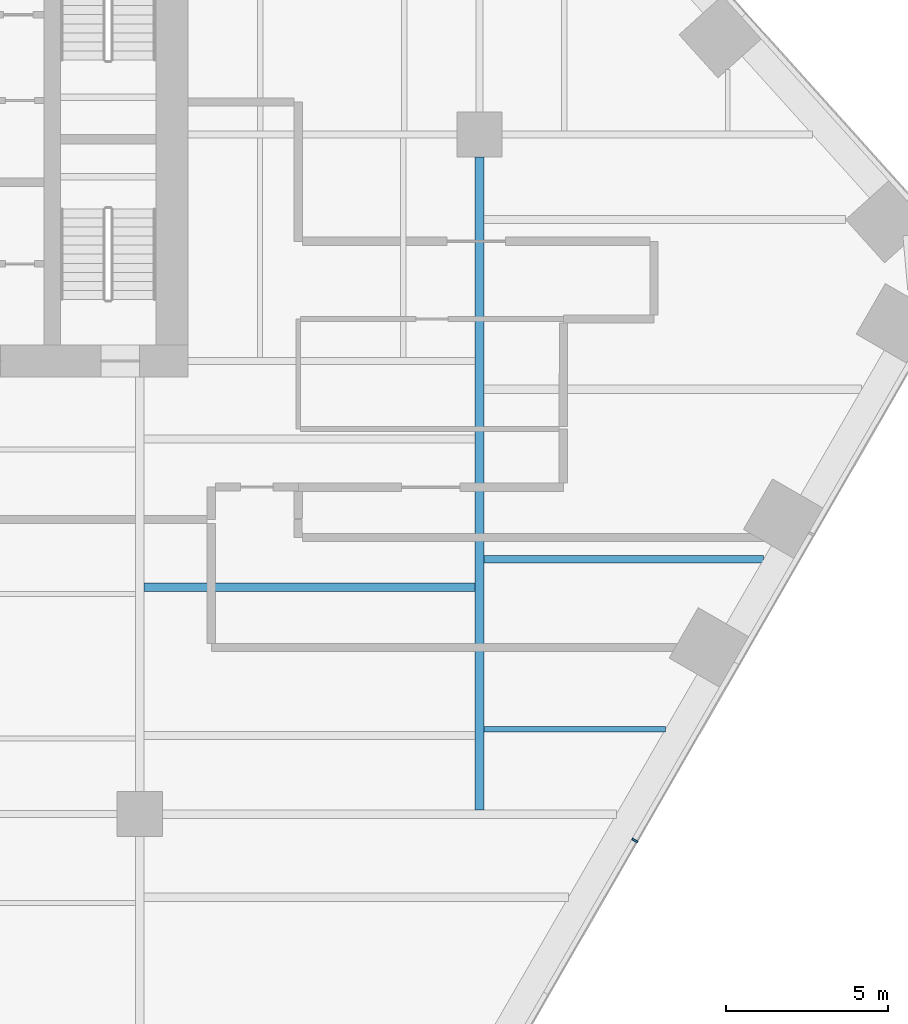
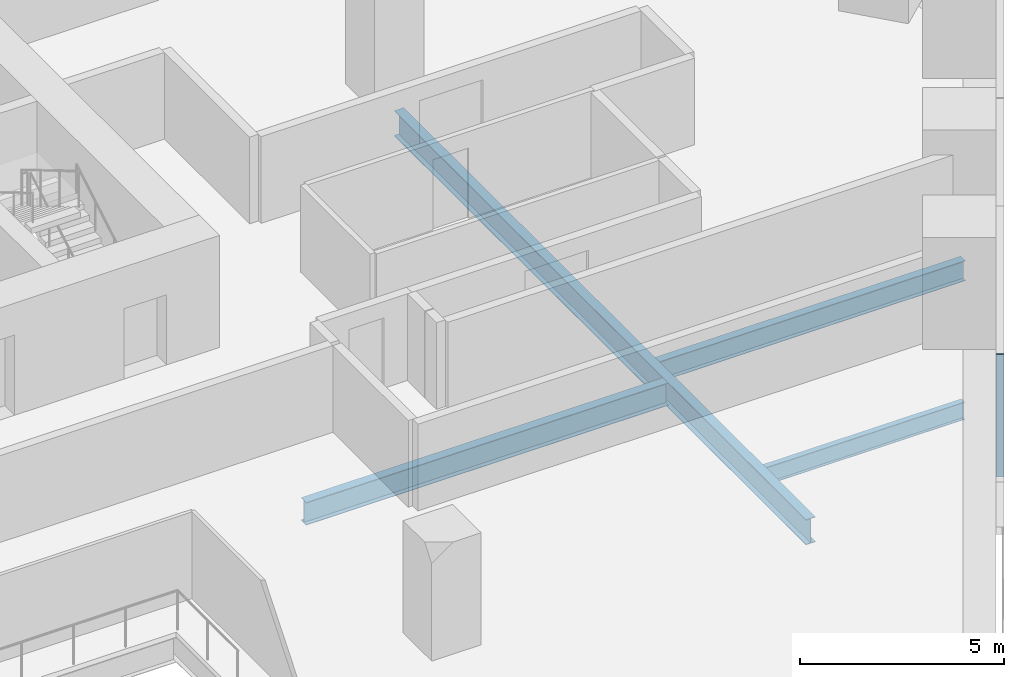
# One storey, part 7 of 20: 4 beams, 1 member, 1 element without a shape of its own.
"""IFC4 building model written with IfcOpenShell, lengths in metres."""

import ifcopenshell
import ifcopenshell.guid

model = None  # the IFC model being written
_history = None  # IfcOwnerHistory: only IFC2X3 demands one
_inside = {}  # id of a spatial element -> (the spatial element, [elements in it])
_under = {}  # id of a project, library or spatial element -> (it, [spatial elements below it])
_declared = {}  # id of a project -> (the project, [libraries it declares])
_typed = {}  # id of a type object -> (the type object, [elements of that type])
_made_of = {}  # id of a material, layer set ... -> (it, [elements and type objects made of it])


def new_model(schema):
    """Start an empty IFC model of exactly this schema.

    Asked for "IFC4X3", IfcOpenShell would pick the latest addendum, in which some entities
    have other attributes; the version numbers below select the first issue.
    IFC2X3 requires an IfcOwnerHistory on every rooted entity: one is made here for all.
    """
    global model, _history
    if schema == "IFC4X3":
        model = ifcopenshell.file(schema_version=(4, 3, 0, 0))
    else:
        model = ifcopenshell.file(schema=schema)
    _inside.clear()
    _under.clear()
    _declared.clear()
    _typed.clear()
    _made_of.clear()
    _history = None
    if model.schema == "IFC2X3":
        org = make("IfcOrganization", Name="unknown")
        user = make(
            "IfcPersonAndOrganization",
            ThePerson=make("IfcPerson", FamilyName="unknown"),
            TheOrganization=org,
        )
        app = make(
            "IfcApplication",
            ApplicationDeveloper=org,
            Version="unknown",
            ApplicationFullName="unknown",
            ApplicationIdentifier="unknown",
        )
        _history = make(
            "IfcOwnerHistory",
            OwningUser=user,
            OwningApplication=app,
            ChangeAction="ADDED",
            CreationDate=0,
        )
    return model


def make(cls, **values):
    """One entity of the class cls with the attributes given. An attribute that is None is left unset."""
    return model.create_entity(
        cls, **{name: value for name, value in values.items() if value is not None}
    )


def rooted(cls, **values):
    """An entity with a GlobalId (a new one), such as an element, a storey or a relation."""
    return make(cls, GlobalId=ifcopenshell.guid.new(), OwnerHistory=_history, **values)


def si_unit(unit_type, name, prefix=None):
    """IfcSIUnit, for example si_unit("LENGTHUNIT", "METRE", prefix="MILLI")."""
    return make("IfcSIUnit", UnitType=unit_type, Prefix=prefix, Name=name)


def assignment(units):
    """IfcUnitAssignment: the units of a project."""
    return None if units is None else make("IfcUnitAssignment", Units=units)


def point(xyz):
    """IfcCartesianPoint."""
    return None if xyz is None else make("IfcCartesianPoint", Coordinates=xyz)


def direction(xyz):
    """IfcDirection."""
    return None if xyz is None else make("IfcDirection", DirectionRatios=xyz)


def frame(location, z_axis=None, x_axis=None):
    """IfcAxis2Placement3D, a coordinate frame: its origin and axes. An axis left out is left unset."""
    return make(
        "IfcAxis2Placement3D",
        Location=point(location),
        Axis=direction(z_axis),
        RefDirection=direction(x_axis),
    )


def frame_2d(location, x_axis=None):
    """IfcAxis2Placement2D, a coordinate frame in the plane: its origin and x axis."""
    return make(
        "IfcAxis2Placement2D", Location=point(location), RefDirection=direction(x_axis)
    )


def origin():
    """The frame at (0, 0, 0) with its axes left unset."""
    return frame((0.0, 0.0, 0.0))


def origin_2d():
    """The frame at (0, 0) in the plane with its x axis left unset."""
    return frame_2d((0.0, 0.0))


def place(relative_to, where):
    """IfcLocalPlacement: puts the frame where relative to a parent placement (None: the world)."""
    return make(
        "IfcLocalPlacement", PlacementRelTo=relative_to, RelativePlacement=where
    )


def context(
    kind, dimensions, precision=None, world=None, true_north=None, identifier=None
):
    """IfcGeometricRepresentationContext, for example the 3D "Model" context."""
    return make(
        "IfcGeometricRepresentationContext",
        ContextIdentifier=identifier,
        ContextType=kind,
        CoordinateSpaceDimension=dimensions,
        Precision=precision,
        WorldCoordinateSystem=world,
        TrueNorth=true_north,
    )


def subcontext(parent, identifier, kind, view, scale=None):
    """IfcGeometricRepresentationSubContext, for example "Body" below "Model"."""
    return make(
        "IfcGeometricRepresentationSubContext",
        ContextIdentifier=identifier,
        ContextType=kind,
        ParentContext=parent,
        TargetScale=scale,
        TargetView=view,
    )


def project(units=None, contexts=None):
    """IfcProject with its units and contexts."""
    return rooted(
        "IfcProject",
        Name="project",
        RepresentationContexts=contexts,
        UnitsInContext=assignment(units),
    )


def spatial(cls, under=None, at=None, **own):
    """A site, building, storey or space (cls), placed at a placement, below another one or the project."""
    s = rooted(cls, ObjectPlacement=at, **own)
    if under is not None:
        _under.setdefault(under.id(), (under, []))[1].append(s)
    return s


def profile(cls, at=None, kind="AREA", **sizes):
    """A parametric profile (cls). Its sizes go by their IFC names, for example OverallWidth=200.0."""
    return make(cls, ProfileType=kind, Position=at, **sizes)


def rectangle(**sizes):
    """IfcRectangleProfileDef."""
    return profile("IfcRectangleProfileDef", **sizes)


def i_section(**sizes):
    """IfcIShapeProfileDef."""
    return profile("IfcIShapeProfileDef", **sizes)


def extrude(swept, where, along, depth):
    """IfcExtrudedAreaSolid: the profile swept, set in the frame where, extruded along a direction by depth."""
    return make(
        "IfcExtrudedAreaSolid",
        SweptArea=swept,
        Position=where,
        ExtrudedDirection=direction(along),
        Depth=depth,
    )


def shape(context_of_items, identifier, shape_type, items):
    """IfcShapeRepresentation: the items that make up one representation, for example the "Body"."""
    return make(
        "IfcShapeRepresentation",
        ContextOfItems=context_of_items,
        RepresentationIdentifier=identifier,
        RepresentationType=shape_type,
        Items=items,
    )


def material(Name=None, Category=None):
    """IfcMaterial."""
    return make("IfcMaterial", Name=Name, Category=Category)


def layer(
    of_material, thickness, ventilated=None, Name=None, Category=None, Priority=None
):
    """IfcMaterialLayer: one layer of a wall or slab, of a material (None: an air gap)."""
    return make(
        "IfcMaterialLayer",
        Material=of_material,
        LayerThickness=thickness,
        IsVentilated=ventilated,
        Name=Name,
        Category=Category,
        Priority=Priority,
    )


def layer_set(layers, Name=None):
    """IfcMaterialLayerSet."""
    return make("IfcMaterialLayerSet", MaterialLayers=layers, LayerSetName=Name)


def material_profile(
    of_material, cross_section, Name=None, Category=None, Priority=None
):
    """IfcMaterialProfile: a cross section and its material."""
    return make(
        "IfcMaterialProfile",
        Name=Name,
        Material=of_material,
        Profile=cross_section,
        Priority=Priority,
        Category=Category,
    )


def profile_set(profiles, Name=None, composite=None):
    """IfcMaterialProfileSet."""
    return make(
        "IfcMaterialProfileSet",
        Name=Name,
        MaterialProfiles=profiles,
        CompositeProfile=composite,
    )


def made_of(thing, what):
    """Note that an element or type object is made of a material, layer set ...; save() writes the relation."""
    if what is not None:
        _made_of.setdefault(what.id(), (what, []))[1].append(thing)
    return thing


def type_object(cls, material=None, **own):
    """A type object (cls), such as IfcWallType, which elements share."""
    return made_of(rooted(cls, **own), material)


def element(
    cls,
    number,
    at=None,
    inside=None,
    cuts=None,
    type_object=None,
    material=None,
    context=None,
    identifier="Body",
    shape_type=None,
    held_by="IfcProductDefinitionShape",
    body=None,
    shapes=None,
    **own,
):
    """One element of the class cls, such as IfcWall. Its Tag is "e" and its number.

    at: its placement. inside: the storey or other place that contains it. cuts: it is an
    opening in that element (IfcRelVoidsElement). A single representation is given by context,
    identifier, shape_type and body (its items); several are given by shapes. held_by: the class
    of the entity that holds the representations. save() writes the other relations.
    """
    e = rooted(cls, Tag="e%d" % number, ObjectPlacement=at, **own)
    if body is not None:
        shapes = [shape(context, identifier, shape_type, body)]
    if shapes is not None:
        e.Representation = make(held_by, Representations=shapes)
    if inside is not None:
        _inside.setdefault(inside.id(), (inside, []))[1].append(e)
    if cuts is not None:
        rooted(
            "IfcRelVoidsElement", RelatingBuildingElement=cuts, RelatedOpeningElement=e
        )
    if type_object is not None:
        _typed.setdefault(type_object.id(), (type_object, []))[1].append(e)
    return made_of(e, material)


def aggregate(whole, parts):
    """IfcRelAggregates: a whole, such as a stair, and the parts it consists of."""
    return rooted("IfcRelAggregates", RelatingObject=whole, RelatedObjects=parts)


def save(model, path):
    """Write the relations noted so far, then the file.

    IfcRelAggregates (storeys below a building ...), IfcRelContainedInSpatialStructure (elements
    in a storey), IfcRelDefinesByType, IfcRelAssociatesMaterial and IfcRelDeclares: one each for
    every whole, place, type object, material and project.
    """
    for whole, parts in _under.values():
        aggregate(whole, parts)
    for where, things in _inside.values():
        rooted(
            "IfcRelContainedInSpatialStructure",
            RelatedElements=things,
            RelatingStructure=where,
        )
    for kind, things in _typed.values():
        rooted("IfcRelDefinesByType", RelatedObjects=things, RelatingType=kind)
    for what, things in _made_of.values():
        rooted("IfcRelAssociatesMaterial", RelatedObjects=things, RelatingMaterial=what)
    for by, libraries in _declared.values():
        rooted("IfcRelDeclares", RelatingContext=by, RelatedDefinitions=libraries)
    model.write(path)


model = new_model("IFC4")

# Units and contexts
model_context = context("Model", 3, precision=1e-05, world=origin(), true_north=direction((0.0, 1.0)))
body_context = subcontext(model_context, "Body", "Model", "MODEL_VIEW")
ifc_project = project(units=[si_unit("LENGTHUNIT", "METRE"), si_unit("AREAUNIT", "SQUARE_METRE"), si_unit("VOLUMEUNIT", "CUBIC_METRE"), si_unit("PLANEANGLEUNIT", "RADIAN"), si_unit("MASSUNIT", "GRAM", prefix="KILO")], contexts=[model_context])

# Site, building, storey
site_placement = place(None, origin())
site = spatial("IfcSite", under=ifc_project, at=site_placement, CompositionType="ELEMENT")
building_placement = place(site_placement, origin())
building = spatial("IfcBuilding", under=site, at=building_placement, Name="Isthmus Gate Tower", CompositionType="ELEMENT")
storey_placement = place(building_placement, frame((0.0, 0.0, 72.5)))
storey = spatial("IfcBuildingStorey", under=building, at=storey_placement, Name="L16", CompositionType="ELEMENT", Elevation=72.5)

# Curtain wall, member
ifc_material_1 = material(Name="Aluminium, pale champagne anodised", Category="aluminium")
ifc_layer = layer(ifc_material_1, 0.199951171875)
ifc_layer_set = layer_set([ifc_layer], Name="CW-1 UNITISED CURTAIN WALL 200 DEEP")
curtain_wall_type = type_object("IfcCurtainWallType", Name="CW-1 UNITISED CURTAIN WALL 200 DEEP", PredefinedType="NOTDEFINED", material=ifc_layer_set)
curtain_wall_placement = place(storey_placement, origin())
curtain_wall = element("IfcCurtainWall", 1, at=curtain_wall_placement, inside=storey, type_object=curtain_wall_type, Name="CW-1 SE L16", PredefinedType="NOTDEFINED")
ifc_material_2 = material(Name="Aluminium, pale champagne anodised", Category="aluminium")
ifc_material_profile_1 = material_profile(ifc_material_2, rectangle(XDim=0.06005859375, YDim=0.199951171875, at=origin_2d()), Name="60x200")
ifc_profile_set_1 = profile_set([ifc_material_profile_1], Name="Aluminium, pale champagne anodised")
member_type = type_object("IfcMemberType", Name="CW-1 MULLION 60 X 200", PredefinedType="MULLION", material=ifc_profile_set_1)
member_placement = place(storey_placement, frame((28.802001953125, -14.3134765625, 0.0), z_axis=(0.0, 0.0, 1.0), x_axis=(0.5, 0.866025403784, 0.0)))
member = element("IfcMember", 2, at=member_placement, type_object=member_type, Name="CW-1 mullion", PredefinedType="MULLION", context=body_context, shape_type="SweptSolid", body=[
    extrude(rectangle(XDim=0.06005859375, YDim=0.199951171875, at=origin_2d()), origin(), (0.0, 0.0, 1.0), 3.64990234375),
])
aggregate(curtain_wall, [member])

# Beams
ifc_material_3 = material(Name="Structural steel ASTM A992 Gr 50", Category="steel")
ifc_material_profile_2 = material_profile(ifc_material_3, i_section(OverallWidth=0.1650390625, OverallDepth=0.52392578125, WebThickness=0.009521484375, FlangeThickness=0.010986328125, at=origin_2d()), Name="W21X44")
ifc_profile_set_2 = profile_set([ifc_material_profile_2], Name="Structural steel ASTM A992 Gr 50")
beam_type_1 = type_object("IfcBeamType", Name="STEEL FLOOR BEAM W21X44", PredefinedType="JOIST", material=ifc_profile_set_2)
beam_1_placement = place(storey_placement, frame((24.13330078125, -10.875, -0.411865234375), z_axis=(1.0, 0.0, 0.0), x_axis=(0.0, 1.0, 0.0)))
element("IfcBeam", 3, at=beam_1_placement, inside=storey, type_object=beam_type_1, Name="str-beam-L16-34-00", PredefinedType="JOIST", context=body_context, shape_type="SweptSolid", body=[
    extrude(i_section(OverallWidth=0.1650390625, OverallDepth=0.52392578125, WebThickness=0.009521484375, FlangeThickness=0.010986328125, at=origin_2d()), origin(), (0.0, 0.0, 1.0), 5.61474609375),
])
ifc_material_4 = material(Name="Structural steel ASTM A992 Gr 50", Category="steel")
ifc_material_profile_3 = material_profile(ifc_material_4, i_section(OverallWidth=0.228515625, OverallDepth=0.603271484375, WebThickness=0.010986328125, FlangeThickness=0.014404296875, at=origin_2d()), Name="W24X68")
ifc_profile_set_3 = profile_set([ifc_material_profile_3], Name="Structural steel ASTM A992 Gr 50")
beam_type_2 = type_object("IfcBeamType", Name="STEEL FLOOR BEAM W24X68", PredefinedType="JOIST", material=ifc_profile_set_3)
beam_2_placement = place(storey_placement, frame((24.13330078125, -5.625, -0.45166015625), z_axis=(1.0, 0.0, 0.0), x_axis=(0.0, 1.0, 0.0)))
element("IfcBeam", 4, at=beam_2_placement, inside=storey, type_object=beam_type_2, Name="str-beam-L16-34-01", PredefinedType="JOIST", context=body_context, shape_type="SweptSolid", body=[
    extrude(i_section(OverallWidth=0.228515625, OverallDepth=0.603271484375, WebThickness=0.010986328125, FlangeThickness=0.014404296875, at=origin_2d()), origin(), (0.0, 0.0, 1.0), 8.645751953125),
])
ifc_material_5 = material(Name="Structural steel ASTM A992 Gr 50", Category="steel")
ifc_material_profile_4 = material_profile(ifc_material_5, i_section(OverallWidth=0.25390625, OverallDepth=0.679443359375, WebThickness=0.010986328125, FlangeThickness=0.015869140625, at=origin_2d()), Name="W27X84")
ifc_profile_set_4 = profile_set([ifc_material_profile_4], Name="Structural steel ASTM A992 Gr 50")
beam_type_3 = type_object("IfcBeamType", Name="STEEL FLOOR BEAM W27X84", PredefinedType="JOIST", material=ifc_profile_set_4)
beam_3_placement = place(storey_placement, frame((13.6318359375, -6.490478515625, -0.48974609375), z_axis=(1.0, 0.0, 0.0), x_axis=(0.0, 1.0, 0.0)))
element("IfcBeam", 5, at=beam_3_placement, inside=storey, type_object=beam_type_3, Name="str-beam-L16-27-01", PredefinedType="JOIST", context=body_context, shape_type="SweptSolid", body=[
    extrude(i_section(OverallWidth=0.25390625, OverallDepth=0.679443359375, WebThickness=0.010986328125, FlangeThickness=0.015869140625, at=origin_2d()), origin(), (0.0, 0.0, 1.0), 10.23486328125),
])
ifc_material_6 = material(Name="Structural steel ASTM A992 Gr 50", Category="steel")
ifc_material_profile_5 = material_profile(ifc_material_6, i_section(OverallWidth=0.2666015625, OverallDepth=0.7587890625, WebThickness=0.014404296875, FlangeThickness=0.01904296875, at=origin_2d()), Name="W30X108")
ifc_profile_set_5 = profile_set([ifc_material_profile_5], Name="Structural steel ASTM A992 Gr 50")
beam_type_4 = type_object("IfcBeamType", Name="STEEL GIRDER W30X108", PredefinedType="BEAM", material=ifc_profile_set_5)
beam_4_placement = place(storey_placement, frame((24.0, -13.36669921875, -0.529296875), z_axis=(0.0, 1.0, 0.0), x_axis=(-1.0, 0.0, 0.0)))
element("IfcBeam", 6, at=beam_4_placement, inside=storey, type_object=beam_type_4, Name="str-girder-L16-35", PredefinedType="BEAM", context=body_context, shape_type="SweptSolid", body=[
    extrude(i_section(OverallWidth=0.2666015625, OverallDepth=0.7587890625, WebThickness=0.014404296875, FlangeThickness=0.01904296875, at=origin_2d()), origin(), (0.0, 0.0, 1.0), 20.166748046875),
])

save(model, "model.ifc")
